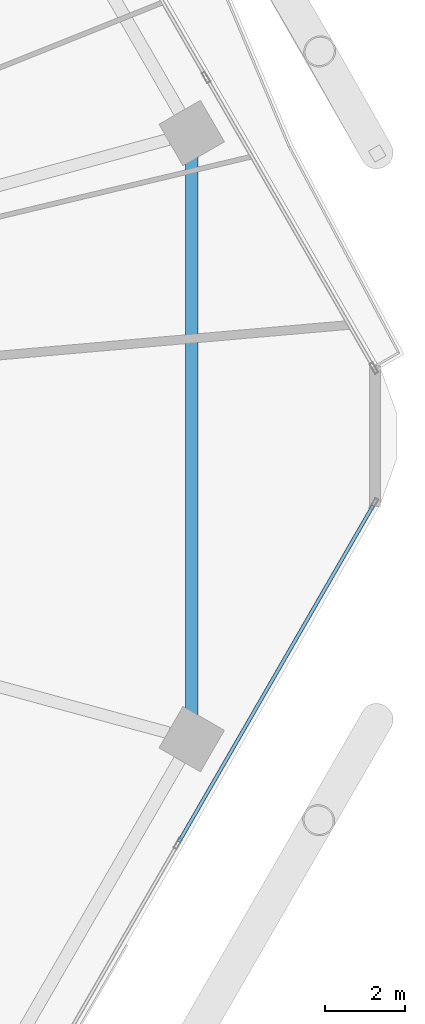
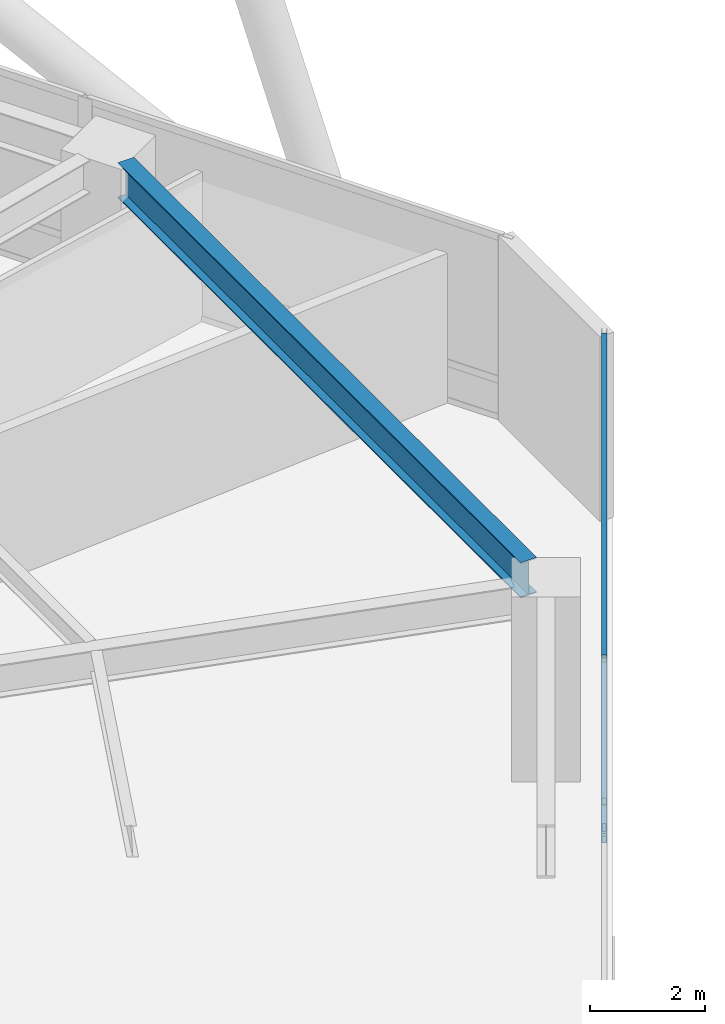
# One storey, part 12 of 31: 3 members, 1 beam, 1 element without a shape of its own.
"""IFC4 building model written with IfcOpenShell, lengths in metres."""

from ifc_helpers import new_model, si_unit, direction, frame, origin, origin_2d, place, context, subcontext, project, spatial, hollow_rectangle, i_section, extrude, material, material_profile, profile_set, type_object, element, aggregate, save


model = new_model("IFC4")

# Units and contexts
model_context = context("Model", 3, precision=1e-05, world=origin(), true_north=direction((0.0, 1.0)))
body_context = subcontext(model_context, "Body", "Model", "MODEL_VIEW")
ifc_project = project(units=[si_unit("LENGTHUNIT", "METRE"), si_unit("AREAUNIT", "SQUARE_METRE"), si_unit("VOLUMEUNIT", "CUBIC_METRE"), si_unit("PLANEANGLEUNIT", "RADIAN"), si_unit("MASSUNIT", "GRAM", prefix="KILO")], contexts=[model_context])

# Site, building, storey
site_placement = place(None, origin())
site = spatial("IfcSite", under=ifc_project, at=site_placement, CompositionType="ELEMENT")
building_placement = place(site_placement, origin())
building = spatial("IfcBuilding", under=site, at=building_placement, Name="Zuhravey Tower", CompositionType="ELEMENT")
storey_placement = place(building_placement, frame((0.0, 0.0, 7.800048828125)))
storey = spatial("IfcBuildingStorey", under=building, at=storey_placement, Name="L02", CompositionType="ELEMENT", Elevation=7.800048828125)

# Curtain wall, members
ifc_material_1 = material(Name="Thermally broken anodised aluminium", Category="aluminium")
curtain_wall_type = type_object("IfcCurtainWallType", Name="School Low-E Unitised Curtain Wall CW1", PredefinedType="NOTDEFINED", material=ifc_material_1)
curtain_wall_placement = place(storey_placement, origin())
curtain_wall = element("IfcCurtainWall", 1, at=curtain_wall_placement, inside=storey, type_object=curtain_wall_type, Name="L02 CW1 CW-L02-F6-1", PredefinedType="NOTDEFINED")
ifc_material_2 = material(Name="Anodised aluminium", Category="aluminium")
ifc_material_profile_1 = material_profile(ifc_material_2, hollow_rectangle(XDim=0.090087890625, YDim=0.14990234375, WallThickness=0.0048828125, at=origin_2d()), Name="ALU-RHS-90x150x5")
ifc_profile_set_1 = profile_set([ifc_material_profile_1], Name="Anodised aluminium")
member_type = type_object("IfcMemberType", Name="Curtain-Wall Transom 90x150", PredefinedType="USERDEFINED", material=ifc_profile_set_1)
member_1_placement = place(storey_placement, frame((68.43359375, 30.259521484375, 0.044921875), z_axis=(-0.500008393077, -0.866020557985, 0.0), x_axis=(0.866020557985, -0.500008393077, 0.0)))
member_1 = element("IfcMember", 2, at=member_1_placement, type_object=member_type, Name="CW1 transom 1.1", ObjectType="TRANSOM", PredefinedType="USERDEFINED", context=body_context, shape_type="SweptSolid", body=[
    extrude(hollow_rectangle(XDim=0.090087890625, YDim=0.14990234375, WallThickness=0.0048828125, at=origin_2d()), origin(), (0.0, 0.0, 1.0), 9.731201171875),
])
member_2_placement = place(storey_placement, frame((68.43359375, 30.259521484375, 0.849853515625), z_axis=(-0.500008393077, -0.866020557985, 0.0), x_axis=(0.866020557985, -0.500008393077, 0.0)))
member_2 = element("IfcMember", 3, at=member_2_placement, type_object=member_type, Name="CW1 transom 1.2", ObjectType="TRANSOM", PredefinedType="USERDEFINED", context=body_context, shape_type="SweptSolid", body=[
    extrude(hollow_rectangle(XDim=0.090087890625, YDim=0.14990234375, WallThickness=0.0048828125, at=origin_2d()), origin(), (0.0, 0.0, 1.0), 9.731201171875),
])
member_3_placement = place(storey_placement, frame((68.43359375, 30.259521484375, 3.875), z_axis=(-0.500008393077, -0.866020557985, 0.0), x_axis=(0.866020557985, -0.500008393077, 0.0)))
member_3 = element("IfcMember", 4, at=member_3_placement, type_object=member_type, Name="CW1 transom 1.3", ObjectType="TRANSOM", PredefinedType="USERDEFINED", context=body_context, shape_type="SweptSolid", body=[
    extrude(hollow_rectangle(XDim=0.090087890625, YDim=0.14990234375, WallThickness=0.0048828125, at=origin_2d()), origin(), (0.0, 0.0, 1.0), 9.731201171875),
])
aggregate(curtain_wall, [member_1, member_2, member_3])

# Beam
ifc_material_3 = material(Name="Steel SM355", Category="steel")
ifc_material_profile_2 = material_profile(ifc_material_3, i_section(OverallWidth=0.320068359375, OverallDepth=0.75, WebThickness=0.013916015625, FlangeThickness=0.02490234375, at=origin_2d()), Name="H-750x320x14x25")
ifc_profile_set_2 = profile_set([ifc_material_profile_2], Name="Steel SM355")
beam_type = type_object("IfcBeamType", Name="Perimeter Ring Beam H750x320", PredefinedType="BEAM", material=ifc_profile_set_2)
beam_placement = place(storey_placement, frame((63.88916015625, 25.011474609375, 3.544921875), z_axis=(0.0, 1.0, 0.0), x_axis=(-1.0, 0.0, 0.0)))
element("IfcBeam", 5, at=beam_placement, inside=storey, type_object=beam_type, Name="L02 PB1 BM-L02-PB-12", PredefinedType="BEAM", context=body_context, shape_type="SweptSolid", body=[
    extrude(i_section(OverallWidth=0.320068359375, OverallDepth=0.75, WebThickness=0.013916015625, FlangeThickness=0.02490234375, at=origin_2d()), origin(), (0.0, 0.0, 1.0), 13.97705078125),
])

save(model, "model.ifc")
